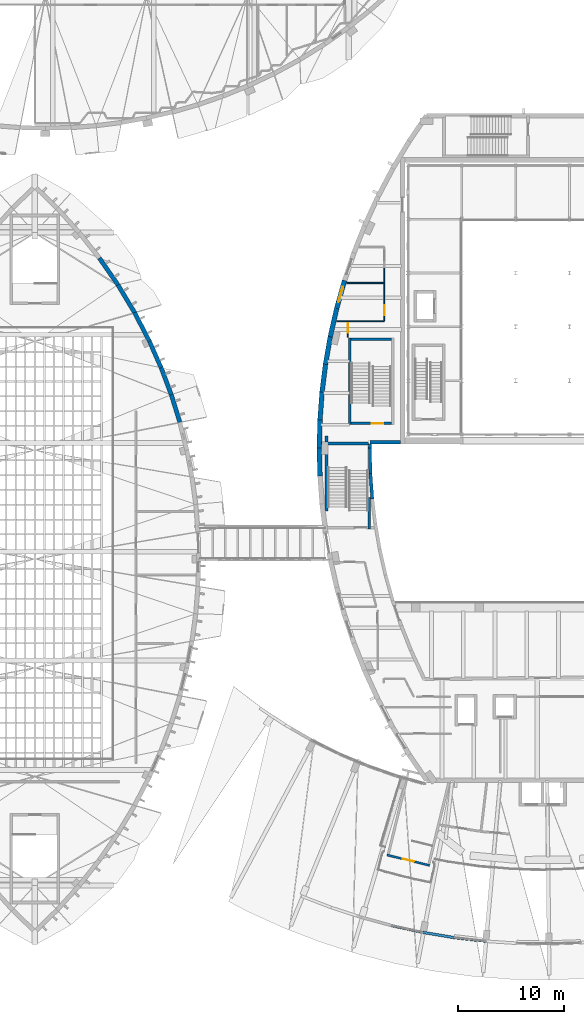
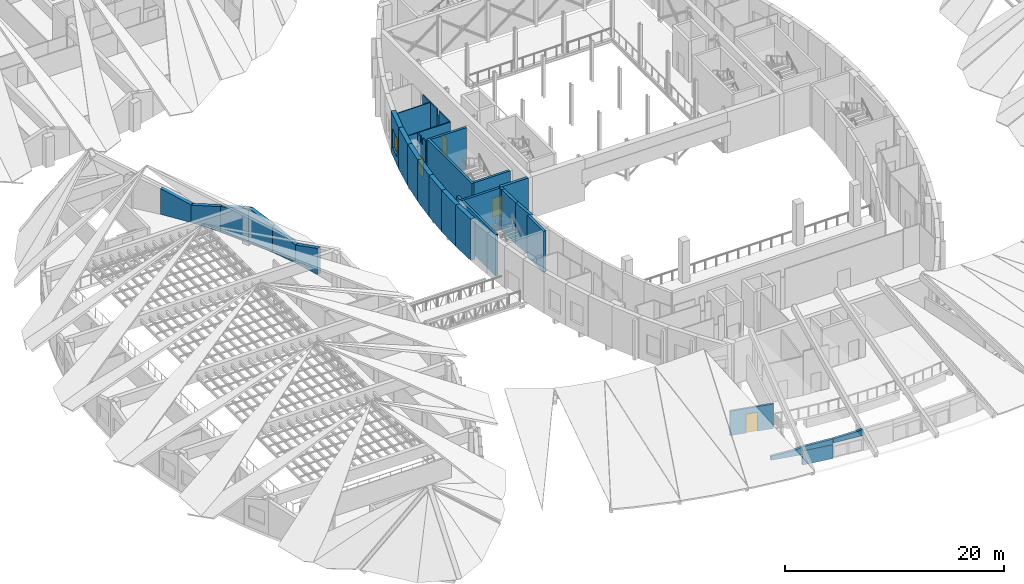
# One storey, part 32 of 56: 36 walls, 4 doors, 1 window, 5 openings.
"""IFC4 building model written with IfcOpenShell, lengths in metres."""

from ifc_helpers import new_model, si_unit, direction, frame, frame_2d, origin, place, context, subcontext, project, spatial, polyline, rectangle, outline, extrude, material, layer, layer_set, type_object, element, fill, save


model = new_model("IFC4")

# Units and contexts
model_context = context("Model", 3, precision=1e-05, world=origin(), true_north=direction((0.0, 1.0)))
body_context = subcontext(model_context, "Body", "Model", "MODEL_VIEW")
ifc_project = project(units=[si_unit("LENGTHUNIT", "METRE"), si_unit("AREAUNIT", "SQUARE_METRE"), si_unit("VOLUMEUNIT", "CUBIC_METRE"), si_unit("PLANEANGLEUNIT", "RADIAN"), si_unit("MASSUNIT", "GRAM", prefix="KILO")], contexts=[model_context])

# Site, building, storey
site_placement = place(None, origin())
site = spatial("IfcSite", under=ifc_project, at=site_placement, CompositionType="ELEMENT")
building_placement = place(site_placement, origin())
building = spatial("IfcBuilding", under=site, at=building_placement, Name="Tide Square Theatres", CompositionType="ELEMENT")
storey_placement = place(building_placement, frame((0.0, 0.0, 10.199951171875)))
storey = spatial("IfcBuildingStorey", under=building, at=storey_placement, Name="L02", CompositionType="ELEMENT", Elevation=10.199951171875)

# Walls
ifc_material_1 = material(Name="Gypsum board on steel studs", Category="steel")
ifc_layer_1 = layer(ifc_material_1, 0.10009765625)
ifc_layer_set_1 = layer_set([ifc_layer_1], Name="Gypsum board on steel studs")
wall_type_1 = type_object("IfcWallType", Name="Partition 100 thick", PredefinedType="PARTITIONING", material=ifc_layer_set_1)
wall_1_placement = place(storey_placement, frame((65.570068359375, 67.0, 0.0), z_axis=(0.0, 0.0, 1.0), x_axis=(-1.0, 0.0, 0.0)))
element("IfcWall", 1, at=wall_1_placement, inside=storey, type_object=wall_type_1, Name="Partition", PredefinedType="PARTITIONING", context=body_context, shape_type="SweptSolid", body=[
    extrude(rectangle(XDim=1.035400390625, YDim=0.10009765625, at=frame_2d((0.517578125, 0.0))), origin(), (0.0, 0.0, 1.0), 4.35009765625),
])
wall_2_placement = place(storey_placement, frame((65.482177734375, 70.60009765625, 0.0), z_axis=(0.0, 0.0, 1.0), x_axis=(1.0, 0.0, 0.0)))
element("IfcWall", 2, at=wall_2_placement, inside=storey, type_object=wall_type_1, Name="Partition", PredefinedType="PARTITIONING", context=body_context, shape_type="SweptSolid", body=[
    extrude(rectangle(XDim=3.5478515625, YDim=0.10009765625, at=frame_2d((1.77392578125, 0.0))), origin(), (0.0, 0.0, 1.0), 4.35009765625),
])
wall_3_placement = place(storey_placement, frame((69.016845703125, 67.0, 0.0), z_axis=(0.0, 0.0, 1.0), x_axis=(-1.0, 0.0, 0.0)))
element("IfcWall", 3, at=wall_3_placement, inside=storey, type_object=wall_type_1, Name="Partition", PredefinedType="PARTITIONING", context=body_context, shape_type="SweptSolid", body=[
    extrude(rectangle(XDim=3.386962890625, YDim=0.10009765625, at=frame_2d((1.693359375, 0.0))), origin(), (0.0, 0.0, 1.0), 4.35009765625),
])

# Wall, opening, door
wall_4_placement = place(storey_placement, frame((65.60009765625, 66.97998046875, 0.0), z_axis=(0.0, 0.0, 1.0), x_axis=(0.0, -1.0, 0.0)))
wall_4 = element("IfcWall", 4, at=wall_4_placement, inside=storey, type_object=wall_type_1, Name="Partition", PredefinedType="PARTITIONING", context=body_context, shape_type="SweptSolid", body=[
    extrude(outline(polyline([(0.0, 0.0), (1.52001953125, 0.0), (1.52001953125, 4.35009765625), (0.987060546875, 4.35009765625), (0.985107421875, 3.6201171875), (0.574951171875, 3.6201171875), (0.572998046875, 4.35009765625), (0.0, 4.35009765625), (0.0, 0.0)])), frame((0.0, 0.050048828125, 0.0), z_axis=(0.0, -1.0, 0.0), x_axis=(1.0, 0.0, 0.0)), (0.0, 0.0, 1.0), 0.10009765625),
])
opening_1_placement = place(wall_4_placement, frame((0.199951171875, 0.0, 0.0)))
opening_1 = element("IfcOpeningElement", 5, at=opening_1_placement, cuts=wall_4, Name="Opening M02-18", PredefinedType="OPENING", context=body_context, shape_type="SweptSolid", body=[
    extrude(rectangle(XDim=0.89990234375, YDim=2.10009765625, at=frame_2d((0.449951171875, 1.050048828125))), frame((0.0, 0.06005859375, 0.0), z_axis=(0.0, -1.0, 0.0), x_axis=(1.0, 0.0, 0.0)), (0.0, 0.0, 1.0), 0.1201171875),
])
ifc_material_2 = material(Name="Hardwood timber", Category="wood")
door_type_1 = type_object("IfcDoorType", Name="Door 900 x 2100 single leaf", OperationType="NOTDEFINED", PredefinedType="DOOR", material=ifc_material_2)
door_1_placement = place(opening_1_placement, frame((0.89990234375, 0.0, 0.0), z_axis=(0.0, 0.0, 1.0), x_axis=(-1.0, 0.0, 0.0)))
door_1 = element("IfcDoor", 6, at=door_1_placement, inside=storey, type_object=door_type_1, Name="Costume Wardrobe door", OperationType="SINGLE_SWING_RIGHT", OverallHeight=2.10009765625, OverallWidth=0.89990234375, PredefinedType="DOOR", context=body_context, shape_type="SweptSolid", body=[
    extrude(rectangle(XDim=0.89990234375, YDim=2.10009765625, at=frame_2d((0.449951171875, 1.050048828125))), frame((0.0, 0.02490234375, 0.0), z_axis=(0.0, -1.0, 0.0), x_axis=(1.0, 0.0, 0.0)), (0.0, 0.0, 1.0), 0.050048828125),
])
fill(opening_1, door_1)

# Walls
wall_5_placement = place(storey_placement, frame((69.050048828125, 70.56689453125, 0.0), z_axis=(0.0, 0.0, 1.0), x_axis=(0.0, -1.0, 0.0)))
element("IfcWall", 7, at=wall_5_placement, inside=storey, type_object=wall_type_1, Name="Partition", PredefinedType="PARTITIONING", context=body_context, shape_type="SweptSolid", body=[
    extrude(rectangle(XDim=1.18701171875, YDim=0.10009765625, at=frame_2d((0.593505859375, 0.0))), origin(), (0.0, 0.0, 1.0), 4.35009765625),
])
wall_6_placement = place(storey_placement, frame((69.050048828125, 69.3798828125, 0.0), z_axis=(0.0, 0.0, 1.0), x_axis=(0.0, -1.0, 0.0)))
element("IfcWall", 8, at=wall_6_placement, inside=storey, type_object=wall_type_1, Name="Partition", PredefinedType="PARTITIONING", context=body_context, shape_type="SweptSolid", body=[
    extrude(rectangle(XDim=0.35986328125, YDim=0.10009765625, at=frame_2d((0.179931640625, 0.0))), origin(), (0.0, 0.0, 1.0), 3.719970703125),
])

# Wall, opening, door
wall_7_placement = place(storey_placement, frame((69.050048828125, 69.02001953125, 0.0), z_axis=(0.0, 0.0, 1.0), x_axis=(0.0, -1.0, 0.0)))
wall_7 = element("IfcWall", 9, at=wall_7_placement, inside=storey, type_object=wall_type_1, Name="Partition", PredefinedType="PARTITIONING", context=body_context, shape_type="SweptSolid", body=[
    extrude(rectangle(XDim=1.996826171875, YDim=0.10009765625, at=frame_2d((0.99853515625, 0.0))), origin(), (0.0, 0.0, 1.0), 4.35009765625),
])
opening_2_placement = place(wall_7_placement, frame((0.54833984375, 0.0, 0.0)))
opening_2 = element("IfcOpeningElement", 10, at=opening_2_placement, cuts=wall_7, Name="Opening M02-14", PredefinedType="OPENING", context=body_context, shape_type="SweptSolid", body=[
    extrude(rectangle(XDim=0.89990234375, YDim=2.10009765625, at=frame_2d((0.449951171875, 1.050048828125))), frame((0.0, 0.06005859375, 0.0), z_axis=(0.0, -1.0, 0.0), x_axis=(1.0, 0.0, 0.0)), (0.0, 0.0, 1.0), 0.1201171875),
])
door_2_placement = place(opening_2_placement, frame((0.89990234375, 0.0, 0.0), z_axis=(0.0, 0.0, 1.0), x_axis=(-1.0, 0.0, 0.0)))
door_2 = element("IfcDoor", 11, at=door_2_placement, inside=storey, type_object=door_type_1, Name="Wig and Make-up Room door", OperationType="SINGLE_SWING_LEFT", OverallHeight=2.10009765625, OverallWidth=0.89990234375, PredefinedType="DOOR", context=body_context, shape_type="SweptSolid", body=[
    extrude(rectangle(XDim=0.89990234375, YDim=2.10009765625, at=frame_2d((0.449951171875, 1.050048828125))), frame((0.0, 0.02490234375, 0.0), z_axis=(0.0, -1.0, 0.0), x_axis=(1.0, 0.0, 0.0)), (0.0, 0.0, 1.0), 0.050048828125),
])
fill(opening_2, door_2)

# Walls
wall_8_placement = place(storey_placement, frame((69.050048828125, 72.02001953125, 0.0), z_axis=(0.0, 0.0, 1.0), x_axis=(0.0, -1.0, 0.0)))
element("IfcWall", 12, at=wall_8_placement, inside=storey, type_object=wall_type_1, Name="Partition", PredefinedType="PARTITIONING", context=body_context, shape_type="SweptSolid", body=[
    extrude(rectangle(XDim=1.38671875, YDim=0.10009765625, at=frame_2d((0.693359375, 0.0))), origin(), (0.0, 0.0, 1.0), 4.35009765625),
])
ifc_material_3 = material(Name="Concrete C40", Category="concrete")
ifc_layer_2 = layer(ifc_material_3, 0.39990234375)
ifc_layer_set_2 = layer_set([ifc_layer_2], Name="Concrete C40")
wall_type_2 = type_object("IfcWallType", Name="RC curved wall 400 thick", PredefinedType="SOLIDWALL", material=ifc_layer_set_2)
wall_9_placement = place(storey_placement, frame((49.7080078125, 57.439697265625, 0.0), z_axis=(0.0, 0.0, 1.0), x_axis=(-0.29795748067, 0.954579142718, 0.0)))
element("IfcWall", 13, at=wall_9_placement, inside=storey, type_object=wall_type_2, Name="Studio Theatre perimeter wall", PredefinedType="SOLIDWALL", context=body_context, shape_type="SweptSolid", body=[
    extrude(outline(polyline([(0.0, 0.0), (2.714599609375, 0.0), (2.71435546875, 2.02001953125), (2.703369140625, 2.0234375), (0.0, 2.916259765625), (0.0, 0.0)])), frame((0.0, 0.199951171875, 0.0), z_axis=(0.0, -1.0, 0.0), x_axis=(1.0, 0.0, 0.0)), (0.0, 0.0, 1.0), 0.39990234375),
])
wall_10_placement = place(storey_placement, frame((48.8955078125, 60.041748046875, 0.0), z_axis=(0.0, 0.0, 1.0), x_axis=(-0.351862601417, 0.936051659752, 0.0)))
element("IfcWall", 14, at=wall_10_placement, inside=storey, type_object=wall_type_2, Name="Studio Theatre perimeter wall", PredefinedType="SOLIDWALL", context=body_context, shape_type="SweptSolid", body=[
    extrude(outline(polyline([(0.0, 0.0), (2.71435546875, 0.0), (2.71435546875, 2.910400390625), (2.59326171875, 2.875732421875), (0.174072265625, 2.076904296875), (0.0, 2.01953125), (0.0, 0.0)])), frame((0.0, 0.199951171875, 0.0), z_axis=(0.0, -1.0, 0.0), x_axis=(1.0, 0.0, 0.0)), (0.0, 0.0, 1.0), 0.39990234375),
])
wall_11_placement = place(storey_placement, frame((47.93603515625, 62.593017578125, 0.0), z_axis=(0.0, 0.0, 1.0), x_axis=(-0.404652153757, 0.914470685402, 0.0)))
element("IfcWall", 15, at=wall_11_placement, inside=storey, type_object=wall_type_2, Name="Studio Theatre perimeter wall", PredefinedType="SOLIDWALL", context=body_context, shape_type="SweptSolid", body=[
    extrude(outline(polyline([(0.0, 0.0), (2.7138671875, 0.0), (2.713623046875, 3.718994140625), (2.69384765625, 3.725830078125), (2.60546875, 3.77783203125), (2.516845703125, 3.74853515625), (0.1376953125, 2.962890625), (0.0, 2.917236328125), (0.0, 0.0)])), frame((0.0, 0.199951171875, 0.0), z_axis=(0.0, -1.0, 0.0), x_axis=(1.0, 0.0, 0.0)), (0.0, 0.0, 1.0), 0.39990234375),
])
wall_12_placement = place(storey_placement, frame((46.832763671875, 65.085693359375, 0.0), z_axis=(0.0, 0.0, 1.0), x_axis=(-0.45930565039, 0.888278289457, 0.0)))
element("IfcWall", 16, at=wall_12_placement, inside=storey, type_object=wall_type_2, Name="Studio Theatre perimeter wall", PredefinedType="SOLIDWALL", context=body_context, shape_type="SweptSolid", body=[
    extrude(outline(polyline([(0.0, 0.0), (3.05859375, 0.0), (3.05859375, 2.80859375), (3.025390625, 2.824462890625), (0.215087890625, 3.648193359375), (0.111572265625, 3.678466796875), (0.0, 3.711181640625), (0.0, 0.0)])), frame((0.0, 0.199951171875, 0.0), z_axis=(0.0, -1.0, 0.0), x_axis=(1.0, 0.0, 0.0)), (0.0, 0.0, 1.0), 0.39990234375),
])
wall_13_placement = place(storey_placement, frame((45.421630859375, 67.813720703125, 0.0), z_axis=(0.0, 0.0, 1.0), x_axis=(-0.515387841983, 0.856957042293, 0.0)))
element("IfcWall", 17, at=wall_13_placement, inside=storey, type_object=wall_type_2, Name="Studio Theatre perimeter wall", PredefinedType="SOLIDWALL", context=body_context, shape_type="SweptSolid", body=[
    extrude(outline(polyline([(0.0, 0.0), (3.057861328125, 0.0), (3.057861328125, 1.9609375), (2.998046875, 1.946533203125), (0.046875, 2.785888671875), (0.0, 2.799560546875), (0.0, 0.0)])), frame((0.0, 0.199951171875, 0.0), z_axis=(0.0, -1.0, 0.0), x_axis=(1.0, 0.0, 0.0)), (0.0, 0.0, 1.0), 0.39990234375),
])
wall_14_placement = place(storey_placement, frame((43.838623046875, 70.44482421875, 0.0), z_axis=(0.0, 0.0, 1.0), x_axis=(-0.569371892655, 0.822080073871, 0.0)))
element("IfcWall", 18, at=wall_14_placement, inside=storey, type_object=wall_type_2, Name="Studio Theatre perimeter wall", PredefinedType="SOLIDWALL", context=body_context, shape_type="SweptSolid", body=[
    extrude(outline(polyline([(0.0, 0.0), (3.0576171875, 0.0), (3.057861328125, 2.837646484375), (2.764892578125, 2.76904296875), (0.4619140625, 2.10302734375), (0.0, 1.9677734375), (0.0, 0.0)])), frame((0.0, 0.199951171875, 0.0), z_axis=(0.0, -1.0, 0.0), x_axis=(1.0, 0.0, 0.0)), (0.0, 0.0, 1.0), 0.39990234375),
])

# Wall, opening, window
ifc_material_4 = material(Name="Concrete C40", Category="concrete")
ifc_layer_3 = layer(ifc_material_4, 0.449951171875)
ifc_layer_set_3 = layer_set([ifc_layer_3], Name="Concrete C40")
wall_type_3 = type_object("IfcWallType", Name="RC curved wall 450 thick", PredefinedType="SOLIDWALL", material=ifc_layer_set_3)
wall_15_placement = place(storey_placement, frame((65.275390625, 70.838134765625, 0.0), z_axis=(0.0, 0.0, 1.0), x_axis=(-0.270008269196, -0.962858003324, 0.0)))
wall_15 = element("IfcWall", 19, at=wall_15_placement, inside=storey, type_object=wall_type_3, Name="Main Theatre perimeter wall", PredefinedType="SOLIDWALL", context=body_context, shape_type="SweptSolid", body=[
    extrude(rectangle(XDim=2.75244140625, YDim=0.449951171875, at=frame_2d((1.376220703125, 0.0))), origin(), (0.0, 0.0, 1.0), 4.60009765625),
])
opening_3_placement = place(wall_15_placement, frame((0.626220703125, 0.0, 0.89990234375)))
opening_3 = element("IfcOpeningElement", 20, at=opening_3_placement, cuts=wall_15, Name="Opening WN-01", PredefinedType="OPENING", context=body_context, shape_type="SweptSolid", body=[
    extrude(rectangle(XDim=1.5, YDim=2.10009765625, at=frame_2d((0.75, 1.050048828125))), frame((0.0, 0.23486328125, 0.0), z_axis=(0.0, -1.0, 0.0), x_axis=(1.0, 0.0, 0.0)), (0.0, 0.0, 1.0), 0.469970703125),
])
ifc_material_5 = material(Name="Aluminium with laminated glass", Category="aluminium")
window_type = type_object("IfcWindowType", Name="Window 1500 x 2100", PartitioningType="SINGLE_PANEL", PredefinedType="WINDOW", material=ifc_material_5)
window_placement = place(opening_3_placement, origin())
window = element("IfcWindow", 21, at=window_placement, inside=storey, type_object=window_type, Name="Main Theatre window", OverallHeight=2.10009765625, OverallWidth=1.5, PartitioningType="SINGLE_PANEL", PredefinedType="WINDOW", context=body_context, shape_type="SweptSolid", body=[
    extrude(rectangle(XDim=1.5, YDim=2.10009765625, at=frame_2d((0.75, 1.050048828125))), frame((0.0, 0.030029296875, 0.0), z_axis=(0.0, -1.0, 0.0), x_axis=(1.0, 0.0, 0.0)), (0.0, 0.0, 1.0), 0.06005859375),
])
fill(opening_3, window)

# Walls
wall_16_placement = place(storey_placement, frame((64.5322265625, 68.18798828125, 0.0), z_axis=(0.0, 0.0, 1.0), x_axis=(-0.220347996563, -0.975421324562, 0.0)))
element("IfcWall", 22, at=wall_16_placement, inside=storey, type_object=wall_type_3, Name="Main Theatre perimeter wall", PredefinedType="SOLIDWALL", context=body_context, shape_type="SweptSolid", body=[
    extrude(rectangle(XDim=2.752197265625, YDim=0.449951171875, at=frame_2d((1.3759765625, 0.0))), origin(), (0.0, 0.0, 1.0), 4.60009765625),
])
wall_17_placement = place(storey_placement, frame((63.92578125, 65.50341796875, 0.0), z_axis=(0.0, 0.0, 1.0), x_axis=(-0.171196910379, -0.985236833394, 0.0)))
element("IfcWall", 23, at=wall_17_placement, inside=storey, type_object=wall_type_3, Name="Main Theatre perimeter wall", PredefinedType="SOLIDWALL", context=body_context, shape_type="SweptSolid", body=[
    extrude(rectangle(XDim=2.642578125, YDim=0.449951171875, at=frame_2d((1.3212890625, 0.0))), origin(), (0.0, 0.0, 1.0), 4.60009765625),
])
wall_18_placement = place(storey_placement, frame((63.473388671875, 62.89990234375, 0.0), z_axis=(0.0, 0.0, 1.0), x_axis=(-0.122499610212, -0.992468561466, 0.0)))
element("IfcWall", 24, at=wall_18_placement, inside=storey, type_object=wall_type_3, Name="Main Theatre perimeter wall", PredefinedType="SOLIDWALL", context=body_context, shape_type="SweptSolid", body=[
    extrude(rectangle(XDim=2.642822265625, YDim=0.449951171875, at=frame_2d((1.3212890625, 0.0))), origin(), (0.0, 0.0, 1.0), 4.60009765625),
])
wall_19_placement = place(storey_placement, frame((63.149658203125, 60.277099609375, 0.0), z_axis=(0.0, 0.0, 1.0), x_axis=(-0.07363685767, -0.997285121313, 0.0)))
element("IfcWall", 25, at=wall_19_placement, inside=storey, type_object=wall_type_3, Name="Main Theatre perimeter wall", PredefinedType="SOLIDWALL", context=body_context, shape_type="SweptSolid", body=[
    extrude(rectangle(XDim=2.642333984375, YDim=0.449951171875, at=frame_2d((1.3212890625, 0.0))), origin(), (0.0, 0.0, 1.0), 4.60009765625),
])
for number, where, z_axis, x_axis, name in (
    (26, (62.955078125, 57.641845703125, 0.0), (0.0, 0.0, 1.0), (-0.024666736886, -0.999695729756, 0.0), "Main Theatre perimeter wall"),
    (27, (62.889892578125, 55.0, 0.0), (0.0, 0.0, 1.0), (0.024666736886, -0.999695729756, 0.0), "Main Theatre perimeter wall"),
):
    element("IfcWall", number, at=place(storey_placement, frame(where, z_axis=z_axis, x_axis=x_axis)), inside=storey, type_object=wall_type_3, Name=name, PredefinedType="SOLIDWALL", context=body_context, shape_type="SweptSolid", body=[
        extrude(rectangle(XDim=2.642578125, YDim=0.449951171875, at=frame_2d((1.3212890625, 0.0))), origin(), (0.0, 0.0, 1.0), 4.60009765625),
    ])

# Wall, opening, door
ifc_material_6 = material(Name="Concrete C40", Category="concrete")
ifc_layer_4 = layer(ifc_material_6, 0.199951171875)
ifc_layer_set_4 = layer_set([ifc_layer_4], Name="Concrete C40")
wall_type_4 = type_object("IfcWallType", Name="RC shear wall 200 thick", PredefinedType="SHEAR", material=ifc_layer_set_4)
wall_20_placement = place(storey_placement, frame((73.327880859375, 15.5341796875, 0.0), z_axis=(0.0, 0.0, 1.0), x_axis=(-0.97147374422, 0.237147136374, 0.0)))
wall_20 = element("IfcWall", 28, at=wall_20_placement, inside=storey, type_object=wall_type_4, Name="Exit stair F3 wall", PredefinedType="SHEAR", context=body_context, shape_type="SweptSolid", body=[
    extrude(rectangle(XDim=4.14990234375, YDim=0.199951171875, at=frame_2d((2.074951171875, 0.0))), origin(), (0.0, 0.0, 1.0), 2.733154296875),
])
opening_4_placement = place(wall_20_placement, frame((1.52490234375, 0.0, 0.0)))
opening_4 = element("IfcOpeningElement", 29, at=opening_4_placement, cuts=wall_20, Name="Opening F02-01", PredefinedType="OPENING", context=body_context, shape_type="SweptSolid", body=[
    extrude(rectangle(XDim=1.10009765625, YDim=2.10009765625, at=frame_2d((0.550048828125, 1.050048828125))), frame((0.0, 0.10986328125, 0.0), z_axis=(0.0, -1.0, 0.0), x_axis=(1.0, 0.0, 0.0)), (0.0, 0.0, 1.0), 0.219970703125),
])
ifc_material_7 = material(Name="Painted steel", Category="steel")
door_type_2 = type_object("IfcDoorType", Name="Door 1100 x 2100 single leaf", OperationType="NOTDEFINED", PredefinedType="DOOR", material=ifc_material_7)
door_3_placement = place(opening_4_placement, origin())
door_3 = element("IfcDoor", 30, at=door_3_placement, inside=storey, type_object=door_type_2, Name="Exit stair F3 door", OperationType="SINGLE_SWING_RIGHT", OverallHeight=2.10009765625, OverallWidth=1.10009765625, PredefinedType="DOOR", context=body_context, shape_type="SweptSolid", body=[
    extrude(rectangle(XDim=1.10009765625, YDim=2.10009765625, at=frame_2d((0.550048828125, 1.050048828125))), frame((0.0, 0.02490234375, 0.0), z_axis=(0.0, -1.0, 0.0), x_axis=(1.0, 0.0, 0.0)), (0.0, 0.0, 1.0), 0.050048828125),
])
fill(opening_4, door_3)

# Walls
ifc_material_8 = material(Name="Concrete C40", Category="concrete")
ifc_layer_5 = layer(ifc_material_8, 0.25)
ifc_layer_set_5 = layer_set([ifc_layer_5], Name="Concrete C40")
wall_type_5 = type_object("IfcWallType", Name="RC shear wall 250 thick", PredefinedType="SHEAR", material=ifc_layer_set_5)
wall_21_placement = place(storey_placement, frame((65.77490234375, 65.39990234375, 0.0), z_axis=(0.0, 0.0, 1.0), x_axis=(0.0, -1.0, 0.0)))
element("IfcWall", 31, at=wall_21_placement, inside=storey, type_object=wall_type_5, Name="Main Theatre West Stair shaft wall", PredefinedType="SHEAR", context=body_context, shape_type="SweptSolid", body=[
    extrude(rectangle(XDim=8.199951171875, YDim=0.25, at=frame_2d((4.10009765625, 0.0))), origin(), (0.0, 0.0, 1.0), 4.60009765625),
])
wall_22_placement = place(storey_placement, frame((65.89990234375, 65.27490234375, 0.0), z_axis=(0.0, 0.0, 1.0), x_axis=(1.0, 0.0, 0.0)))
element("IfcWall", 32, at=wall_22_placement, inside=storey, type_object=wall_type_5, Name="Main Theatre West Stair shaft wall", PredefinedType="SHEAR", context=body_context, shape_type="SweptSolid", body=[
    extrude(rectangle(XDim=3.800048828125, YDim=0.25, at=frame_2d((1.89990234375, 0.0))), origin(), (0.0, 0.0, 1.0), 4.60009765625),
])

# Wall, opening, door
wall_23_placement = place(storey_placement, frame((69.699951171875, 57.324951171875, 0.0), z_axis=(0.0, 0.0, 1.0), x_axis=(-1.0, 0.0, 0.0)))
wall_23 = element("IfcWall", 33, at=wall_23_placement, inside=storey, type_object=wall_type_5, Name="Main Theatre West Stair shaft wall", PredefinedType="SHEAR", context=body_context, shape_type="SweptSolid", body=[
    extrude(rectangle(XDim=3.800048828125, YDim=0.25, at=frame_2d((1.89990234375, 0.0))), origin(), (0.0, 0.0, 1.0), 4.60009765625),
])
opening_5_placement = place(wall_23_placement, frame((0.75, 0.0, 0.0)))
opening_5 = element("IfcOpeningElement", 34, at=opening_5_placement, cuts=wall_23, Name="Opening M02-01", PredefinedType="OPENING", context=body_context, shape_type="SweptSolid", body=[
    extrude(rectangle(XDim=1.10009765625, YDim=2.10009765625, at=frame_2d((0.550048828125, 1.050048828125))), frame((0.0, 0.135009765625, 0.0), z_axis=(0.0, -1.0, 0.0), x_axis=(1.0, 0.0, 0.0)), (0.0, 0.0, 1.0), 0.27001953125),
])
door_4_placement = place(opening_5_placement, origin())
door_4 = element("IfcDoor", 35, at=door_4_placement, inside=storey, type_object=door_type_2, Name="Main Theatre West Stair stair door", OperationType="SINGLE_SWING_LEFT", OverallHeight=2.10009765625, OverallWidth=1.10009765625, PredefinedType="DOOR", context=body_context, shape_type="SweptSolid", body=[
    extrude(rectangle(XDim=1.10009765625, YDim=2.10009765625, at=frame_2d((0.550048828125, 1.050048828125))), frame((0.0, 0.02490234375, 0.0), z_axis=(0.0, -1.0, 0.0), x_axis=(1.0, 0.0, 0.0)), (0.0, 0.0, 1.0), 0.050048828125),
])
fill(opening_5, door_4)

# Walls
wall_24_placement = place(storey_placement, frame((67.625, 47.35009765625, 0.0), z_axis=(0.0, 0.0, 1.0), x_axis=(0.0, 1.0, 0.0)))
element("IfcWall", 36, at=wall_24_placement, inside=storey, type_object=wall_type_5, Name="Main Theatre West Circle Stair shaft wall", PredefinedType="SHEAR", context=body_context, shape_type="SweptSolid", body=[
    extrude(rectangle(XDim=2.968017578125, YDim=0.25, at=frame_2d((1.48388671875, 0.0))), origin(), (0.0, 0.0, 1.0), 4.60009765625),
])
wall_25_placement = place(storey_placement, frame((63.574951171875, 56.14990234375, 0.0), z_axis=(0.0, 0.0, 1.0), x_axis=(0.0, -1.0, 0.0)))
element("IfcWall", 37, at=wall_25_placement, inside=storey, type_object=wall_type_5, Name="Main Theatre West Circle Stair shaft wall", PredefinedType="SHEAR", context=body_context, shape_type="SweptSolid", body=[
    extrude(rectangle(XDim=7.089111328125, YDim=0.25, at=frame_2d((3.54443359375, 0.0))), origin(), (0.0, 0.0, 1.0), 4.60009765625),
])
wall_26_placement = place(storey_placement, frame((63.10009765625, 55.425048828125, 0.0), z_axis=(0.0, 0.0, 1.0), x_axis=(1.0, 0.0, 0.0)))
element("IfcWall", 38, at=wall_26_placement, inside=storey, type_object=wall_type_5, Name="Main Theatre West Circle Stair shaft wall", PredefinedType="SHEAR", context=body_context, shape_type="SweptSolid", body=[
    extrude(rectangle(XDim=4.419921875, YDim=0.25, at=frame_2d((2.2099609375, 0.0))), origin(), (0.0, 0.0, 1.0), 4.60009765625),
])
wall_27_placement = place(storey_placement, frame((72.67529296875, 9.205810546875, 0.0), z_axis=(0.0, 0.0, 1.0), x_axis=(0.986371890278, -0.164531134044, 0.0)))
element("IfcWall", 39, at=wall_27_placement, inside=storey, type_object=wall_type_5, Name="Foyer entrance pier wall", PredefinedType="SHEAR", context=body_context, shape_type="SweptSolid", body=[
    extrude(rectangle(XDim=2.995849609375, YDim=0.25, at=frame_2d((1.498046875, 0.0))), origin(), (0.0, 0.0, 1.0), 1.560302734375),
])
wall_28_placement = place(storey_placement, frame((72.67529296875, 9.205810546875, 1.560302734375), z_axis=(0.0, 0.0, 1.0), x_axis=(0.986371890278, -0.164531134044, 0.0)))
element("IfcWall", 40, at=wall_28_placement, inside=storey, type_object=wall_type_5, Name="Foyer fascia wall", PredefinedType="SHEAR", context=body_context, shape_type="SweptSolid", body=[
    extrude(outline(polyline([(0.0, 0.0), (2.995849609375, 0.0), (2.99609375, 0.615966796875), (0.299560546875, 0.479736328125), (0.0, 0.44873046875), (0.0, 0.0)])), frame((0.0, 0.125, 0.0), z_axis=(0.0, -1.0, 0.0), x_axis=(1.0, 0.0, 0.0)), (0.0, 0.0, 1.0), 0.25),
])
wall_29_placement = place(storey_placement, frame((69.74853515625, 9.845947265625, 1.1630859375), z_axis=(0.0, 0.0, 1.0), x_axis=(0.976906396448, -0.213667715339, 0.0)))
element("IfcWall", 41, at=wall_29_placement, inside=storey, type_object=wall_type_5, Name="Foyer fascia wall", PredefinedType="SHEAR", context=body_context, shape_type="SweptSolid", body=[
    extrude(outline(polyline([(0.0, 0.0), (2.995849609375, 0.0), (2.99609375, 0.84423828125), (2.396728515625, 0.68505859375), (2.09716796875, 0.638671875), (0.0, 0.448974609375), (0.0, 0.0)])), frame((0.0, 0.125, 0.0), z_axis=(0.0, -1.0, 0.0), x_axis=(1.0, 0.0, 0.0)), (0.0, 0.0, 1.0), 0.25),
])
wall_30_placement = place(storey_placement, frame((75.63037109375, 8.712890625, 1.727783203125), z_axis=(0.0, 0.0, 1.0), x_axis=(0.993367471595, -0.114982896015, 0.0)))
element("IfcWall", 42, at=wall_30_placement, inside=storey, type_object=wall_type_5, Name="Foyer fascia wall", PredefinedType="SHEAR", context=body_context, shape_type="SweptSolid", body=[
    extrude(outline(polyline([(0.0, 0.0), (2.995849609375, 0.0), (2.99609375, 0.723388671875), (2.396728515625, 0.615966796875), (2.09716796875, 0.580810546875), (0.0, 0.44873046875), (0.0, 0.0)])), frame((0.0, 0.125, 0.0), z_axis=(0.0, -1.0, 0.0), x_axis=(1.0, 0.0, 0.0)), (0.0, 0.0, 1.0), 0.25),
])
ifc_material_9 = material(Name="Concrete C40", Category="concrete")
ifc_layer_6 = layer(ifc_material_9, 0.300048828125)
ifc_layer_set_6 = layer_set([ifc_layer_6], Name="Concrete C40")
wall_type_6 = type_object("IfcWallType", Name="RC shear wall 300 thick", PredefinedType="SHEAR", material=ifc_layer_set_6)
wall_31_placement = place(storey_placement, frame((67.67626953125, 55.39990234375, 0.0), z_axis=(0.0, 0.0, 1.0), x_axis=(-0.024412746386, -0.999701964494, 0.0)))
element("IfcWall", 43, at=wall_31_placement, inside=storey, type_object=wall_type_6, Name="Main Theatre auditorium wall", PredefinedType="SHEAR", context=body_context, shape_type="SweptSolid", body=[
    extrude(rectangle(XDim=0.39990234375, YDim=0.300048828125, at=frame_2d((0.199951171875, 0.0))), origin(), (0.0, 0.0, 1.0), 4.60009765625),
])
for number, where, z_axis, x_axis, name in (
    (44, (67.66650390625, 55.0, 0.0), (0.0, 0.0, 1.0), (0.024536221488, -0.999698941599, 0.0), "Main Theatre auditorium wall"),
    (45, (67.7255859375, 52.5927734375, 0.0), (0.0, 0.0, 1.0), (0.073711091533, -0.997279637306, 0.0), "Main Theatre auditorium wall"),
):
    element("IfcWall", number, at=place(storey_placement, frame(where, z_axis=z_axis, x_axis=x_axis)), inside=storey, type_object=wall_type_6, Name=name, PredefinedType="SHEAR", context=body_context, shape_type="SweptSolid", body=[
        extrude(rectangle(XDim=2.407958984375, YDim=0.300048828125, at=frame_2d((1.2041015625, 0.0))), origin(), (0.0, 0.0, 1.0), 4.60009765625),
    ])
wall_32_placement = place(storey_placement, frame((67.67626953125, 55.550048828125, 0.0), z_axis=(0.0, 0.0, 1.0), x_axis=(1.0, 0.0, 0.0)))
element("IfcWall", 46, at=wall_32_placement, inside=storey, type_object=wall_type_6, Name="Main Theatre auditorium wall", PredefinedType="SHEAR", context=body_context, shape_type="SweptSolid", body=[
    extrude(rectangle(XDim=2.873779296875, YDim=0.300048828125, at=frame_2d((1.43701171875, 0.0))), origin(), (0.0, 0.0, 1.0), 4.60009765625),
])

save(model, "model.ifc")
